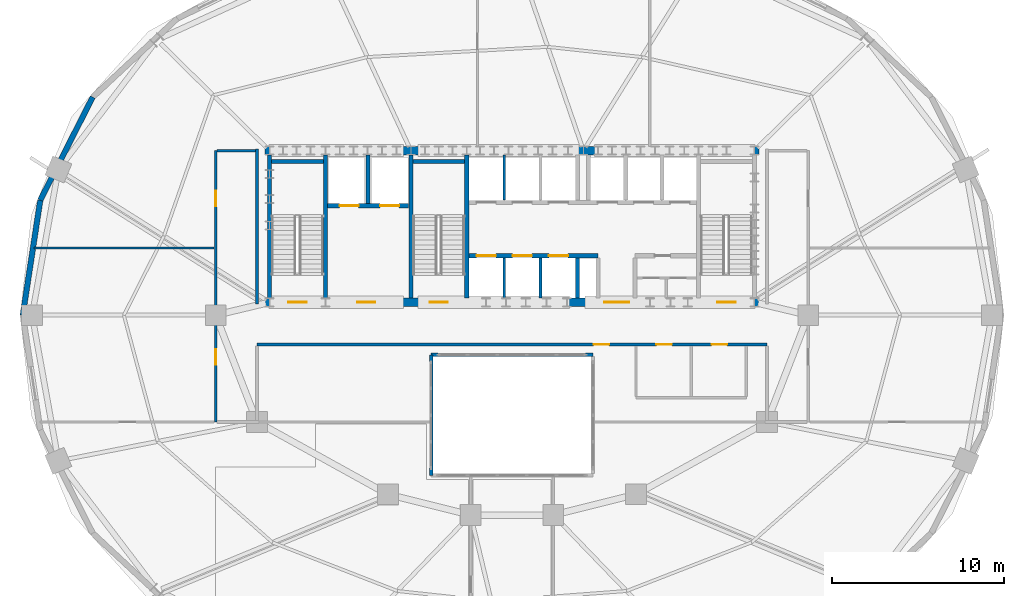
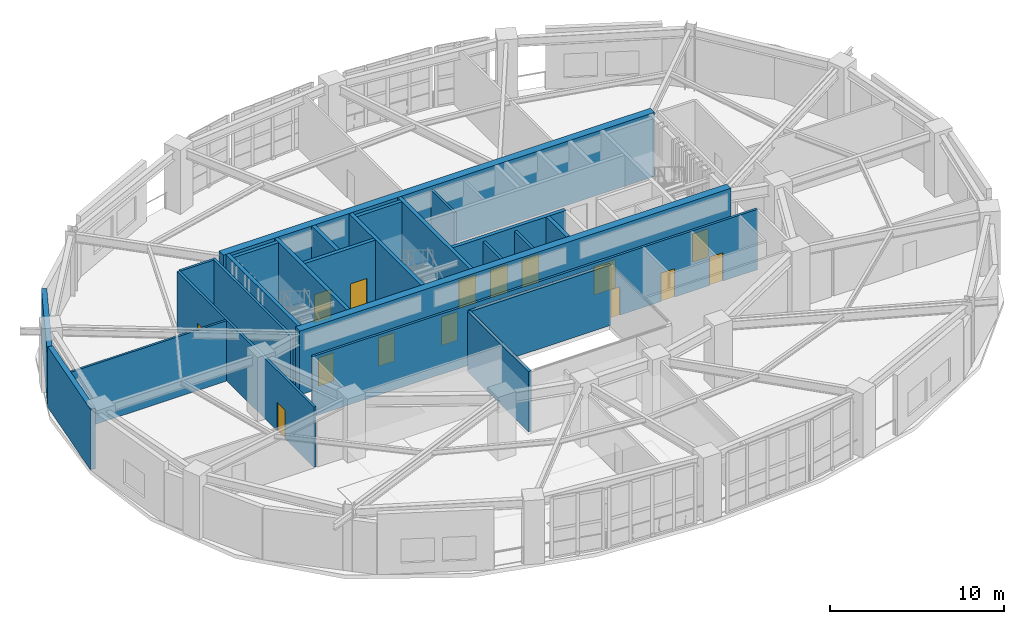
# One storey, part 10 of 15: 24 walls, 15 doors, 15 openings.
"""IFC4 building model written with IfcOpenShell, lengths in metres."""

from ifc_helpers import new_model, si_unit, direction, frame, frame_2d, origin, place, context, subcontext, project, spatial, rectangle, extrude, material, layer, layer_set, type_object, element, fill, save


model = new_model("IFC4")

# Units and contexts
model_context = context("Model", 3, precision=1e-05, world=origin(), true_north=direction((0.0, 1.0)))
body_context = subcontext(model_context, "Body", "Model", "MODEL_VIEW")
ifc_project = project(units=[si_unit("LENGTHUNIT", "METRE"), si_unit("AREAUNIT", "SQUARE_METRE"), si_unit("VOLUMEUNIT", "CUBIC_METRE"), si_unit("PLANEANGLEUNIT", "RADIAN"), si_unit("MASSUNIT", "GRAM", prefix="KILO")], contexts=[model_context])

# Site, building, storey
site_placement = place(None, origin())
site = spatial("IfcSite", under=ifc_project, at=site_placement, CompositionType="ELEMENT")
building_placement = place(site_placement, origin())
building = spatial("IfcBuilding", under=site, at=building_placement, Name="Haldorwick Loom Tower", CompositionType="ELEMENT")
storey_placement = place(building_placement, frame((0.0, 0.0, 105.949951171875)))
storey = spatial("IfcBuildingStorey", under=building, at=storey_placement, Name="L28", CompositionType="ELEMENT", Elevation=105.949951171875)

# Walls
ifc_material_1 = material(Name="Pressed Clay Face Brick and Insulated Masonry Backup Assembly", Category="masonry")
ifc_layer_1 = layer(ifc_material_1, 0.320068359375, Name="Pressed Clay Face Brick and Insulated Masonry Backup Assembly", Category="masonry")
ifc_layer_set_1 = layer_set([ifc_layer_1], Name="Pressed Clay Face Brick and Insulated Masonry Backup Assembly")
wall_type_1 = type_object("IfcWallType", Name="ARC-WL-EXT320", PredefinedType="STANDARD", material=ifc_layer_set_1)
wall_1_placement = place(storey_placement, frame((11.661376953125, 38.655517578125, 0.0), z_axis=(0.0, 0.0, 1.0), x_axis=(-0.453374078001, -0.89132033826, 0.0)))
element("IfcWall", 1, at=wall_1_placement, inside=storey, type_object=wall_type_1, Name="L28 Brick Pier and Spandrel Wall 11", PredefinedType="STANDARD", context=body_context, shape_type="SweptSolid", body=[
    extrude(rectangle(XDim=6.709716796875, YDim=0.320068359375, at=frame_2d((3.35498046875, 0.0))), origin(), (0.0, 0.0, 1.0), 3.619140625),
])
wall_2_placement = place(storey_placement, frame((8.619384765625, 32.675048828125, 0.0), z_axis=(0.0, 0.0, 1.0), x_axis=(-0.150633288003, -0.988589708901, 0.0)))
element("IfcWall", 2, at=wall_2_placement, inside=storey, type_object=wall_type_1, Name="L28 Brick Pier and Spandrel Wall 12", PredefinedType="STANDARD", context=body_context, shape_type="SweptSolid", body=[
    extrude(rectangle(XDim=6.752197265625, YDim=0.320068359375, at=frame_2d((3.3759765625, 0.0))), origin(), (0.0, 0.0, 1.0), 4.260009765625),
])

# Wall, openings, doors
ifc_material_2 = material(Name="Fire-Rated Type X Gypsum Stud Assembly EI 60")
ifc_layer_2 = layer(ifc_material_2, 0.159912109375, Name="Fire-Rated Type X Gypsum Stud Assembly EI 60")
ifc_layer_set_2 = layer_set([ifc_layer_2], Name="Fire-Rated Type X Gypsum Stud Assembly EI 60")
wall_type_2 = type_object("IfcWallType", Name="ARC-WL-FIRE160", PredefinedType="PARTITIONING", material=ifc_layer_set_2)
wall_3_placement = place(storey_placement, frame((21.199951171875, 24.300048828125, 0.0), z_axis=(0.0, 0.0, 1.0), x_axis=(1.0, 0.0, 0.0)))
wall_3 = element("IfcWall", 3, at=wall_3_placement, inside=storey, type_object=wall_type_2, Name="L28 Interior Partition L28-CS", PredefinedType="PARTITIONING", context=body_context, shape_type="SweptSolid", body=[
    extrude(rectangle(XDim=29.60009765625, YDim=0.159912109375, at=frame_2d((14.800048828125, 0.0))), origin(), (0.0, 0.0, 1.0), 4.2451171875),
])
opening_1_placement = place(wall_3_placement, frame((19.5400390625, 0.0, 0.0)))
opening_1 = element("IfcOpeningElement", 4, at=opening_1_placement, cuts=wall_3, Name="Opening D-FD60A", PredefinedType="OPENING", context=body_context, shape_type="SweptSolid", body=[
    extrude(rectangle(XDim=0.89990234375, YDim=2.0, at=frame_2d((0.449951171875, 1.0))), frame((0.0, 0.08984375, 0.0), z_axis=(0.0, -1.0, 0.0), x_axis=(1.0, 0.0, 0.0)), (0.0, 0.0, 1.0), 0.179931640625),
])
opening_2_placement = place(wall_3_placement, frame((26.388916015625, 0.0, 0.0)))
opening_2 = element("IfcOpeningElement", 5, at=opening_2_placement, cuts=wall_3, Name="Opening D-FD60A", PredefinedType="OPENING", context=body_context, shape_type="SweptSolid", body=[
    extrude(rectangle(XDim=0.89990234375, YDim=2.0, at=frame_2d((0.449951171875, 1.0))), frame((0.0, 0.08984375, 0.0), z_axis=(0.0, -1.0, 0.0), x_axis=(1.0, 0.0, 0.0)), (0.0, 0.0, 1.0), 0.179931640625),
])
opening_3_placement = place(wall_3_placement, frame((23.185791015625, 0.0, 0.0)))
opening_3 = element("IfcOpeningElement", 6, at=opening_3_placement, cuts=wall_3, Name="Opening D-FD60A", PredefinedType="OPENING", context=body_context, shape_type="SweptSolid", body=[
    extrude(rectangle(XDim=0.89990234375, YDim=2.0, at=frame_2d((0.449951171875, 1.0))), frame((0.0, 0.08984375, 0.0), z_axis=(0.0, -1.0, 0.0), x_axis=(1.0, 0.0, 0.0)), (0.0, 0.0, 1.0), 0.179931640625),
])
ifc_material_3 = material(Name="Hollow Steel Fire Door Assembly", Category="steel")
door_type_1 = type_object("IfcDoorType", Name="ARC-DR-FD60-90", OperationType="NOTDEFINED", PredefinedType="DOOR", material=ifc_material_3)
door_1_placement = place(opening_1_placement, origin())
door_1 = element("IfcDoor", 7, at=door_1_placement, inside=storey, type_object=door_type_1, Name="L28 L28 Central Transfer Corridor to Sky Cafe Dining Hall 4 Door", OperationType="SINGLE_SWING_RIGHT", OverallHeight=2.0, OverallWidth=0.89990234375, PredefinedType="DOOR", context=body_context, shape_type="SweptSolid", body=[
    extrude(rectangle(XDim=0.89990234375, YDim=2.0, at=frame_2d((0.449951171875, 1.0))), frame((0.0, 0.02490234375, 0.0), z_axis=(0.0, -1.0, 0.0), x_axis=(1.0, 0.0, 0.0)), (0.0, 0.0, 1.0), 0.050048828125),
])
fill(opening_1, door_1)
door_2_placement = place(opening_2_placement, origin())
door_2 = element("IfcDoor", 8, at=door_2_placement, inside=storey, type_object=door_type_1, Name="L28 L28 Central Transfer Corridor to Accessible WC Door", OperationType="SINGLE_SWING_LEFT", OverallHeight=2.0, OverallWidth=0.89990234375, PredefinedType="DOOR", context=body_context, shape_type="SweptSolid", body=[
    extrude(rectangle(XDim=0.89990234375, YDim=2.0, at=frame_2d((0.449951171875, 1.0))), frame((0.0, 0.02490234375, 0.0), z_axis=(0.0, -1.0, 0.0), x_axis=(1.0, 0.0, 0.0)), (0.0, 0.0, 1.0), 0.050048828125),
])
fill(opening_2, door_2)
door_3_placement = place(opening_3_placement, origin())
door_3 = element("IfcDoor", 9, at=door_3_placement, inside=storey, type_object=door_type_1, Name="L28 L28 Central Transfer Corridor to Public Washroom Door", OperationType="SINGLE_SWING_RIGHT", OverallHeight=2.0, OverallWidth=0.89990234375, PredefinedType="DOOR", context=body_context, shape_type="SweptSolid", body=[
    extrude(rectangle(XDim=0.89990234375, YDim=2.0, at=frame_2d((0.449951171875, 1.0))), frame((0.0, 0.02490234375, 0.0), z_axis=(0.0, -1.0, 0.0), x_axis=(1.0, 0.0, 0.0)), (0.0, 0.0, 1.0), 0.050048828125),
])
fill(opening_3, door_3)

wall_4_placement = place(storey_placement, frame((18.800048828125, 19.800048828125, 0.0), z_axis=(0.0, 0.0, 1.0), x_axis=(0.0, 1.0, 0.0)))
wall_4 = element("IfcWall", 10, at=wall_4_placement, inside=storey, type_object=wall_type_2, Name="L28 Interior Partition L28-CW0", PredefinedType="PARTITIONING", context=body_context, shape_type="SweptSolid", body=[
    extrude(rectangle(XDim=15.75, YDim=0.159912109375, at=frame_2d((7.875, 0.0))), origin(), (0.0, 0.0, 1.0), 4.2451171875),
])
opening_4_placement = place(wall_4_placement, frame((3.333984375, 0.0, 0.0)))
opening_4 = element("IfcOpeningElement", 11, at=opening_4_placement, cuts=wall_4, Name="Opening D-FD60A", PredefinedType="OPENING", context=body_context, shape_type="SweptSolid", body=[
    extrude(rectangle(XDim=0.89990234375, YDim=2.0, at=frame_2d((0.449951171875, 1.0))), frame((0.0, 0.08984375, 0.0), z_axis=(0.0, -1.0, 0.0), x_axis=(1.0, 0.0, 0.0)), (0.0, 0.0, 1.0), 0.179931640625),
])
opening_5_placement = place(wall_4_placement, frame((12.527099609375, 0.0, 0.0)))
opening_5 = element("IfcOpeningElement", 12, at=opening_5_placement, cuts=wall_4, Name="Opening D-FD60A", PredefinedType="OPENING", context=body_context, shape_type="SweptSolid", body=[
    extrude(rectangle(XDim=0.89990234375, YDim=2.0, at=frame_2d((0.449951171875, 1.0))), frame((0.0, 0.08984375, 0.0), z_axis=(0.0, -1.0, 0.0), x_axis=(1.0, 0.0, 0.0)), (0.0, 0.0, 1.0), 0.179931640625),
])
door_4_placement = place(opening_4_placement, frame((0.89990234375, 0.0, 0.0), z_axis=(0.0, 0.0, 1.0), x_axis=(-1.0, 0.0, 0.0)))
door_4 = element("IfcDoor", 13, at=door_4_placement, inside=storey, type_object=door_type_1, Name="L28 Sky Concierge Reception 7 to L28 Central Transfer Corridor Door", OperationType="SINGLE_SWING_LEFT", OverallHeight=2.0, OverallWidth=0.89990234375, PredefinedType="DOOR", context=body_context, shape_type="SweptSolid", body=[
    extrude(rectangle(XDim=0.89990234375, YDim=2.0, at=frame_2d((0.449951171875, 1.0))), frame((0.0, 0.02490234375, 0.0), z_axis=(0.0, -1.0, 0.0), x_axis=(1.0, 0.0, 0.0)), (0.0, 0.0, 1.0), 0.050048828125),
])
fill(opening_4, door_4)
door_5_placement = place(opening_5_placement, frame((0.89990234375, 0.0, 0.0), z_axis=(0.0, 0.0, 1.0), x_axis=(-1.0, 0.0, 0.0)))
door_5 = element("IfcDoor", 14, at=door_5_placement, inside=storey, type_object=door_type_1, Name="L28 Low-to-Mid Sky Observatory Salon 11 to L28 Central Transfer Corridor", OperationType="SINGLE_SWING_LEFT", OverallHeight=2.0, OverallWidth=0.89990234375, PredefinedType="DOOR", context=body_context, shape_type="SweptSolid", body=[
    extrude(rectangle(XDim=0.89990234375, YDim=2.0, at=frame_2d((0.449951171875, 1.0))), frame((0.0, 0.02490234375, 0.0), z_axis=(0.0, -1.0, 0.0), x_axis=(1.0, 0.0, 0.0)), (0.0, 0.0, 1.0), 0.050048828125),
])
fill(opening_5, door_5)

# Walls
wall_5_placement = place(storey_placement, frame((21.199951171875, 26.64990234375, 0.0), z_axis=(0.0, 0.0, 1.0), x_axis=(0.0, 1.0, 0.0)))
element("IfcWall", 15, at=wall_5_placement, inside=storey, type_object=wall_type_2, Name="L28 Interior Partition L28-CW2", PredefinedType="PARTITIONING", context=body_context, shape_type="SweptSolid", body=[
    extrude(rectangle(XDim=9.0, YDim=0.159912109375, at=frame_2d((4.5, 0.0))), origin(), (0.0, 0.0, 1.0), 4.2451171875),
])
wall_6_placement = place(storey_placement, frame((18.883056640625, 35.550048828125, 0.0), z_axis=(0.0, 0.0, 1.0), x_axis=(1.0, 0.0, 0.0)))
element("IfcWall", 16, at=wall_6_placement, inside=storey, type_object=wall_type_2, Name="L28 Interior Partition L28-CWN", PredefinedType="PARTITIONING", context=body_context, shape_type="SweptSolid", body=[
    extrude(rectangle(XDim=2.23388671875, YDim=0.159912109375, at=frame_2d((1.116943359375, 0.0))), origin(), (0.0, 0.0, 1.0), 4.2451171875),
])
ifc_material_4 = material(Name="Fire-Rated Type X Gypsum Stud Assembly EI 120")
ifc_layer_3 = layer(ifc_material_4, 0.199951171875, Name="Fire-Rated Type X Gypsum Stud Assembly EI 120")
ifc_layer_set_3 = layer_set([ifc_layer_3], Name="Fire-Rated Type X Gypsum Stud Assembly EI 120")
wall_type_3 = type_object("IfcWallType", Name="ARC-WL-FIRE200", PredefinedType="PARTITIONING", material=ifc_layer_set_3)
wall_7_placement = place(storey_placement, frame((31.300048828125, 23.699951171875, 0.0), z_axis=(0.0, 0.0, 1.0), x_axis=(1.0, 0.0, 0.0)))
element("IfcWall", 17, at=wall_7_placement, inside=storey, type_object=wall_type_3, Name="L28 Atrium Fire Wall", PredefinedType="PARTITIONING", context=body_context, shape_type="SweptSolid", body=[
    extrude(rectangle(XDim=9.39990234375, YDim=0.199951171875, at=frame_2d((4.699951171875, 0.0))), origin(), (0.0, 0.0, 1.0), 4.2451171875),
])
wall_8_placement = place(storey_placement, frame((31.300048828125, 16.699951171875, 0.0), z_axis=(0.0, 0.0, 1.0), x_axis=(0.0, 1.0, 0.0)))
element("IfcWall", 18, at=wall_8_placement, inside=storey, type_object=wall_type_3, Name="L28 Atrium Fire Wall", PredefinedType="PARTITIONING", context=body_context, shape_type="SweptSolid", body=[
    extrude(rectangle(XDim=7.0, YDim=0.199951171875, at=frame_2d((3.5, 0.0))), origin(), (0.0, 0.0, 1.0), 4.2451171875),
])
ifc_layer_4 = layer(ifc_material_2, 0.139892578125, Name="Fire-Rated Type X Gypsum Stud Assembly EI 60")
ifc_layer_set_4 = layer_set([ifc_layer_4], Name="Fire-Rated Type X Gypsum Stud Assembly EI 60")
wall_type_4 = type_object("IfcWallType", Name="ARC-WL-PART140", PredefinedType="PARTITIONING", material=ifc_layer_set_4)
wall_9_placement = place(storey_placement, frame((8.262451171875, 29.89990234375, 0.0), z_axis=(0.0, 0.0, 1.0), x_axis=(1.0, 0.0, 0.0)))
element("IfcWall", 19, at=wall_9_placement, inside=storey, type_object=wall_type_4, Name="L28 Interior Partition L28-WL-N", PredefinedType="PARTITIONING", context=body_context, shape_type="SweptSolid", body=[
    extrude(rectangle(XDim=10.45458984375, YDim=0.139892578125, at=frame_2d((5.227294921875, 0.0))), origin(), (0.0, 0.0, 1.0), 4.2451171875),
])
ifc_layer_5 = layer(ifc_material_4, 0.1650390625, Name="Fire-Rated Type X Gypsum Stud Assembly EI 120")
ifc_layer_set_5 = layer_set([ifc_layer_5], Name="Fire-Rated Type X Gypsum Stud Assembly EI 120")
wall_type_5 = type_object("IfcWallType", Name="ARC-WL-SHAFT160", PredefinedType="MOVABLE", material=ifc_layer_set_5)
wall_10_placement = place(storey_placement, frame((35.550048828125, 32.673095703125, 0.0), z_axis=(0.0, 0.0, 1.0), x_axis=(0.0, 1.0, 0.0)))
element("IfcWall", 20, at=wall_10_placement, inside=storey, type_object=wall_type_5, Name="L28 Low-Rise Hoistway Divider 1", PredefinedType="MOVABLE", context=body_context, shape_type="SweptSolid", body=[
    extrude(rectangle(XDim=2.6240234375, YDim=0.159912109375, at=frame_2d((1.31201171875, 0.0))), origin(), (0.0, 0.0, 1.0), 4.2451171875),
])
for number, where, z_axis, x_axis, name in (
    (21, (35.550048828125, 27.0029296875, 0.0), (0.0, 0.0, 1.0), (0.0, 1.0, 0.0), "L28 Mid-Rise Hoistway Divider 1"),
    (22, (37.64990234375, 27.0029296875, 0.0), (0.0, 0.0, 1.0), (0.0, 1.0, 0.0), "L28 Mid-Rise Hoistway Divider 2"),
):
    element("IfcWall", number, at=place(storey_placement, frame(where, z_axis=z_axis, x_axis=x_axis)), inside=storey, type_object=wall_type_5, Name=name, PredefinedType="MOVABLE", context=body_context, shape_type="SweptSolid", body=[
        extrude(rectangle(XDim=2.323974609375, YDim=0.159912109375, at=frame_2d((1.162109375, 0.0))), origin(), (0.0, 0.0, 1.0), 4.2451171875),
    ])

# Wall, openings, doors
ifc_material_5 = material(Name="Concrete C60 (60 MPa)", Category="concrete")
ifc_layer_6 = layer(ifc_material_5, 0.5, Name="Concrete C60 (60 MPa)", Category="concrete")
ifc_layer_set_6 = layer_set([ifc_layer_6], Name="Concrete C60 (60 MPa)")
wall_type_6 = type_object("IfcWallType", Name="STR-WL-CORE500", PredefinedType="SHEAR", material=ifc_layer_set_6)
wall_11_placement = place(storey_placement, frame((21.64990234375, 26.75, 0.0), z_axis=(0.0, 0.0, 1.0), x_axis=(1.0, 0.0, 0.0)))
wall_11 = element("IfcWall", 23, at=wall_11_placement, inside=storey, type_object=wall_type_6, Name="L28 Core Shear Wall S", PredefinedType="SHEAR", context=body_context, shape_type="SweptSolid", body=[
    extrude(rectangle(XDim=28.7001953125, YDim=0.5, at=frame_2d((14.35009765625, 0.0))), origin(), (0.0, 0.0, 1.0), 4.5),
])
opening_6_placement = place(wall_11_placement, frame((1.375, 0.0, 0.0)))
opening_6 = element("IfcOpeningElement", 24, at=opening_6_placement, cuts=wall_11, Name="Opening D-FD60", PredefinedType="OPENING", context=body_context, shape_type="SweptSolid", body=[
    extrude(rectangle(XDim=1.050048828125, YDim=2.0, at=frame_2d((0.52490234375, 1.0))), frame((0.0, 0.260009765625, 0.0), z_axis=(0.0, -1.0, 0.0), x_axis=(1.0, 0.0, 0.0)), (0.0, 0.0, 1.0), 0.52001953125),
])
opening_7_placement = place(wall_11_placement, frame((5.375, 0.0, 0.0)))
opening_7 = element("IfcOpeningElement", 25, at=opening_7_placement, cuts=wall_11, Name="Opening D-FD60", PredefinedType="OPENING", context=body_context, shape_type="SweptSolid", body=[
    extrude(rectangle(XDim=1.050048828125, YDim=2.0, at=frame_2d((0.52490234375, 1.0))), frame((0.0, 0.260009765625, 0.0), z_axis=(0.0, -1.0, 0.0), x_axis=(1.0, 0.0, 0.0)), (0.0, 0.0, 1.0), 0.52001953125),
])
opening_8_placement = place(wall_11_placement, frame((9.574951171875, 0.0, 0.0)))
opening_8 = element("IfcOpeningElement", 26, at=opening_8_placement, cuts=wall_11, Name="Opening D-FD60", PredefinedType="OPENING", context=body_context, shape_type="SweptSolid", body=[
    extrude(rectangle(XDim=1.050048828125, YDim=2.0, at=frame_2d((0.52490234375, 1.0))), frame((0.0, 0.260009765625, 0.0), z_axis=(0.0, -1.0, 0.0), x_axis=(1.0, 0.0, 0.0)), (0.0, 0.0, 1.0), 0.52001953125),
])
opening_9_placement = place(wall_11_placement, frame((19.705078125, 0.0, 0.0)))
opening_9 = element("IfcOpeningElement", 27, at=opening_9_placement, cuts=wall_11, Name="Opening D-LB15", PredefinedType="OPENING", context=body_context, shape_type="SweptSolid", body=[
    extrude(rectangle(XDim=1.449951171875, YDim=2.0, at=frame_2d((0.72509765625, 1.0))), frame((0.0, 0.260009765625, 0.0), z_axis=(0.0, -1.0, 0.0), x_axis=(1.0, 0.0, 0.0)), (0.0, 0.0, 1.0), 0.52001953125),
])
opening_10_placement = place(wall_11_placement, frame((26.27490234375, 0.0, 0.0)))
opening_10 = element("IfcOpeningElement", 28, at=opening_10_placement, cuts=wall_11, Name="Opening D-FD60", PredefinedType="OPENING", context=body_context, shape_type="SweptSolid", body=[
    extrude(rectangle(XDim=1.050048828125, YDim=2.0, at=frame_2d((0.52490234375, 1.0))), frame((0.0, 0.260009765625, 0.0), z_axis=(0.0, -1.0, 0.0), x_axis=(1.0, 0.0, 0.0)), (0.0, 0.0, 1.0), 0.52001953125),
])
door_type_2 = type_object("IfcDoorType", Name="ARC-DR-FD60", OperationType="NOTDEFINED", PredefinedType="DOOR", material=ifc_material_3)
door_6_placement = place(opening_6_placement, origin())
door_6 = element("IfcDoor", 29, at=door_6_placement, inside=storey, type_object=door_type_2, Name="L28 Exit Stair ST-01 Fire Door", OperationType="SINGLE_SWING_RIGHT", OverallHeight=2.0, OverallWidth=1.050048828125, PredefinedType="DOOR", context=body_context, shape_type="SweptSolid", body=[
    extrude(rectangle(XDim=1.050048828125, YDim=2.0, at=frame_2d((0.52490234375, 1.0))), frame((0.0, 0.02490234375, 0.0), z_axis=(0.0, -1.0, 0.0), x_axis=(1.0, 0.0, 0.0)), (0.0, 0.0, 1.0), 0.050048828125),
])
fill(opening_6, door_6)
door_7_placement = place(opening_7_placement, origin())
door_7 = element("IfcDoor", 30, at=door_7_placement, inside=storey, type_object=door_type_2, Name="L28 Firefighting Lift Lobby Fire Door", OperationType="SINGLE_SWING_LEFT", OverallHeight=2.0, OverallWidth=1.050048828125, PredefinedType="DOOR", context=body_context, shape_type="SweptSolid", body=[
    extrude(rectangle(XDim=1.050048828125, YDim=2.0, at=frame_2d((0.52490234375, 1.0))), frame((0.0, 0.02490234375, 0.0), z_axis=(0.0, -1.0, 0.0), x_axis=(1.0, 0.0, 0.0)), (0.0, 0.0, 1.0), 0.050048828125),
])
fill(opening_7, door_7)
door_8_placement = place(opening_8_placement, origin())
door_8 = element("IfcDoor", 31, at=door_8_placement, inside=storey, type_object=door_type_2, Name="L28 Exit Stair ST-03 Fire Door", OperationType="SINGLE_SWING_LEFT", OverallHeight=2.0, OverallWidth=1.050048828125, PredefinedType="DOOR", context=body_context, shape_type="SweptSolid", body=[
    extrude(rectangle(XDim=1.050048828125, YDim=2.0, at=frame_2d((0.52490234375, 1.0))), frame((0.0, 0.02490234375, 0.0), z_axis=(0.0, -1.0, 0.0), x_axis=(1.0, 0.0, 0.0)), (0.0, 0.0, 1.0), 0.050048828125),
])
fill(opening_8, door_8)
door_9_placement = place(opening_10_placement, origin())
door_9 = element("IfcDoor", 32, at=door_9_placement, inside=storey, type_object=door_type_2, Name="L28 Exit Stair ST-02 Fire Door", OperationType="SINGLE_SWING_LEFT", OverallHeight=2.0, OverallWidth=1.050048828125, PredefinedType="DOOR", context=body_context, shape_type="SweptSolid", body=[
    extrude(rectangle(XDim=1.050048828125, YDim=2.0, at=frame_2d((0.52490234375, 1.0))), frame((0.0, 0.02490234375, 0.0), z_axis=(0.0, -1.0, 0.0), x_axis=(1.0, 0.0, 0.0)), (0.0, 0.0, 1.0), 0.050048828125),
])
fill(opening_10, door_9)
ifc_material_6 = material(Name="Thermally Broken Anodized Aluminium and Tempered Glass", Category="aluminium")
door_type_3 = type_object("IfcDoorType", Name="ARC-DR-LOB150", OperationType="NOTDEFINED", PredefinedType="DOOR", material=ifc_material_6)
door_10_placement = place(opening_9_placement, frame((1.449951171875, 0.0, 0.0), z_axis=(0.0, 0.0, 1.0), x_axis=(-1.0, 0.0, 0.0)))
door_10 = element("IfcDoor", 33, at=door_10_placement, inside=storey, type_object=door_type_3, Name="L28 Passenger Lift Lobby Fire Door", OperationType="DOUBLE_DOOR_SINGLE_SWING", OverallHeight=2.0, OverallWidth=1.449951171875, PredefinedType="DOOR", context=body_context, shape_type="SweptSolid", body=[
    extrude(rectangle(XDim=1.449951171875, YDim=2.0, at=frame_2d((0.72509765625, 1.0))), frame((0.0, 0.02490234375, 0.0), z_axis=(0.0, -1.0, 0.0), x_axis=(1.0, 0.0, 0.0)), (0.0, 0.0, 1.0), 0.050048828125),
])
fill(opening_9, door_10)

# Walls
wall_12_placement = place(storey_placement, frame((50.35009765625, 35.550048828125, 0.0), z_axis=(0.0, 0.0, 1.0), x_axis=(-1.0, 0.0, 0.0)))
element("IfcWall", 34, at=wall_12_placement, inside=storey, type_object=wall_type_6, Name="L28 Core Shear Wall N", PredefinedType="SHEAR", context=body_context, shape_type="SweptSolid", body=[
    extrude(rectangle(XDim=28.7001953125, YDim=0.5, at=frame_2d((14.35009765625, 0.0))), origin(), (0.0, 0.0, 1.0), 4.5),
])
ifc_material_7 = material(Name="Concrete C50 (50 MPa)", Category="concrete")
ifc_layer_7 = layer(ifc_material_7, 0.239990234375, Name="Concrete C50 (50 MPa)", Category="concrete")
ifc_layer_set_7 = layer_set([ifc_layer_7], Name="Concrete C50 (50 MPa)")
wall_type_7 = type_object("IfcWallType", Name="STR-WL-SHAFT240", PredefinedType="SHEAR", material=ifc_layer_set_7)
for number, where, z_axis, x_axis, name in (
    (35, (21.929931640625, 35.297119140625, 0.0), (0.0, 0.0, 1.0), (0.0, -1.0, 0.0), "L28 Core Shear Wall W"),
    (36, (25.169921875, 27.0029296875, 0.0), (0.0, 0.0, 1.0), (0.0, 1.0, 0.0), "L28 Core Shear Wall 1"),
):
    element("IfcWall", number, at=place(storey_placement, frame(where, z_axis=z_axis, x_axis=x_axis)), inside=storey, type_object=wall_type_7, Name=name, PredefinedType="SHEAR", context=body_context, shape_type="SweptSolid", body=[
        extrude(rectangle(XDim=8.294189453125, YDim=0.239990234375, at=frame_2d((4.14697265625, 0.0))), origin(), (0.0, 0.0, 1.0), 4.5),
    ])
wall_13_placement = place(storey_placement, frame((22.052978515625, 34.919921875, 0.0), z_axis=(0.0, 0.0, 1.0), x_axis=(1.0, 0.0, 0.0)))
element("IfcWall", 37, at=wall_13_placement, inside=storey, type_object=wall_type_7, Name="L28 Core Shear Wall 1N", PredefinedType="SHEAR", context=body_context, shape_type="SweptSolid", body=[
    extrude(rectangle(XDim=2.994140625, YDim=0.239990234375, at=frame_2d((1.4970703125, 0.0))), origin(), (0.0, 0.0, 1.0), 4.5),
])
for number, where, z_axis, x_axis, name in (
    (38, (30.1298828125, 27.0029296875, 0.0), (0.0, 0.0, 1.0), (0.0, 1.0, 0.0), "L28 Core Shear Wall 2"),
    (39, (33.3701171875, 27.0029296875, 0.0), (0.0, 0.0, 1.0), (0.0, 1.0, 0.0), "L28 Core Shear Wall 3"),
):
    element("IfcWall", number, at=place(storey_placement, frame(where, z_axis=z_axis, x_axis=x_axis)), inside=storey, type_object=wall_type_7, Name=name, PredefinedType="SHEAR", context=body_context, shape_type="SweptSolid", body=[
        extrude(rectangle(XDim=8.294189453125, YDim=0.239990234375, at=frame_2d((4.14697265625, 0.0))), origin(), (0.0, 0.0, 1.0), 4.5),
    ])
wall_14_placement = place(storey_placement, frame((30.2529296875, 34.919921875, 0.0), z_axis=(0.0, 0.0, 1.0), x_axis=(1.0, 0.0, 0.0)))
element("IfcWall", 40, at=wall_14_placement, inside=storey, type_object=wall_type_7, Name="L28 Core Shear Wall 3N", PredefinedType="SHEAR", context=body_context, shape_type="SweptSolid", body=[
    extrude(rectangle(XDim=2.994140625, YDim=0.239990234375, at=frame_2d((1.4970703125, 0.0))), origin(), (0.0, 0.0, 1.0), 4.5),
])

# Wall, openings, doors
wall_15_placement = place(storey_placement, frame((25.29296875, 32.35009765625, 0.0), z_axis=(0.0, 0.0, 1.0), x_axis=(1.0, 0.0, 0.0)))
wall_15 = element("IfcWall", 41, at=wall_15_placement, inside=storey, type_object=wall_type_7, Name="L28 Core Shear Wall FF", PredefinedType="SHEAR", context=body_context, shape_type="SweptSolid", body=[
    extrude(rectangle(XDim=4.714111328125, YDim=0.239990234375, at=frame_2d((2.35693359375, 0.0))), origin(), (0.0, 0.0, 1.0), 4.5),
])
opening_11_placement = place(wall_15_placement, frame((0.70703125, 0.0, 0.0)))
opening_11 = element("IfcOpeningElement", 42, at=opening_11_placement, cuts=wall_15, Name="Opening LD-FF1", PredefinedType="OPENING", context=body_context, shape_type="SweptSolid", body=[
    extrude(rectangle(XDim=1.10009765625, YDim=2.0, at=frame_2d((0.550048828125, 1.0))), frame((0.0, 0.1298828125, 0.0), z_axis=(0.0, -1.0, 0.0), x_axis=(1.0, 0.0, 0.0)), (0.0, 0.0, 1.0), 0.260009765625),
])
opening_12_placement = place(wall_15_placement, frame((3.056884765625, 0.0, 0.0)))
opening_12 = element("IfcOpeningElement", 43, at=opening_12_placement, cuts=wall_15, Name="Opening LD-FF2", PredefinedType="OPENING", context=body_context, shape_type="SweptSolid", body=[
    extrude(rectangle(XDim=1.10009765625, YDim=2.0, at=frame_2d((0.550048828125, 1.0))), frame((0.0, 0.1298828125, 0.0), z_axis=(0.0, -1.0, 0.0), x_axis=(1.0, 0.0, 0.0)), (0.0, 0.0, 1.0), 0.260009765625),
])
door_type_4 = type_object("IfcDoorType", Name="ARC-DR-LD-FF", OperationType="NOTDEFINED", PredefinedType="USERDEFINED", material=ifc_material_3)
door_11_placement = place(opening_11_placement, origin())
door_11 = element("IfcDoor", 44, at=door_11_placement, inside=storey, type_object=door_type_4, Name="L28 Lift LF-FF1 Sliding Landing Door", ObjectType="LANDING DOOR", OperationType="DOUBLE_DOOR_SLIDING", OverallHeight=2.0, OverallWidth=1.10009765625, PredefinedType="USERDEFINED", context=body_context, shape_type="SweptSolid", body=[
    extrude(rectangle(XDim=1.10009765625, YDim=2.0, at=frame_2d((0.550048828125, 1.0))), frame((0.0, 0.02490234375, 0.0), z_axis=(0.0, -1.0, 0.0), x_axis=(1.0, 0.0, 0.0)), (0.0, 0.0, 1.0), 0.050048828125),
])
fill(opening_11, door_11)
door_12_placement = place(opening_12_placement, origin())
door_12 = element("IfcDoor", 45, at=door_12_placement, inside=storey, type_object=door_type_4, Name="L28 Lift LF-FF2 Sliding Landing Door", ObjectType="LANDING DOOR", OperationType="DOUBLE_DOOR_SLIDING", OverallHeight=2.0, OverallWidth=1.10009765625, PredefinedType="USERDEFINED", context=body_context, shape_type="SweptSolid", body=[
    extrude(rectangle(XDim=1.10009765625, YDim=2.0, at=frame_2d((0.550048828125, 1.0))), frame((0.0, 0.02490234375, 0.0), z_axis=(0.0, -1.0, 0.0), x_axis=(1.0, 0.0, 0.0)), (0.0, 0.0, 1.0), 0.050048828125),
])
fill(opening_12, door_12)

# Wall
wall_16_placement = place(storey_placement, frame((27.64990234375, 32.472900390625, 0.0), z_axis=(0.0, 0.0, 1.0), x_axis=(0.0, 1.0, 0.0)))
element("IfcWall", 46, at=wall_16_placement, inside=storey, type_object=wall_type_7, Name="L28 Core Shear Wall FFD", PredefinedType="SHEAR", context=body_context, shape_type="SweptSolid", body=[
    extrude(rectangle(XDim=2.82421875, YDim=0.239990234375, at=frame_2d((1.412109375, 0.0))), origin(), (0.0, 0.0, 1.0), 4.5),
])

# Wall, openings, doors
wall_17_placement = place(storey_placement, frame((33.492919921875, 29.449951171875, 0.0), z_axis=(0.0, 0.0, 1.0), x_axis=(1.0, 0.0, 0.0)))
wall_17 = element("IfcWall", 47, at=wall_17_placement, inside=storey, type_object=wall_type_7, Name="L28 Core Shear Wall LS1", PredefinedType="SHEAR", context=body_context, shape_type="SweptSolid", body=[
    extrude(rectangle(XDim=7.507080078125, YDim=0.239990234375, at=frame_2d((3.75341796875, 0.0))), origin(), (0.0, 0.0, 1.0), 4.5),
])
opening_13_placement = place(wall_17_placement, frame((0.447021484375, 0.0, 0.0)))
opening_13 = element("IfcOpeningElement", 48, at=opening_13_placement, cuts=wall_17, Name="Opening LD-M1", PredefinedType="OPENING", context=body_context, shape_type="SweptSolid", body=[
    extrude(rectangle(XDim=1.1201171875, YDim=2.0, at=frame_2d((0.56005859375, 1.0))), frame((0.0, 0.1298828125, 0.0), z_axis=(0.0, -1.0, 0.0), x_axis=(1.0, 0.0, 0.0)), (0.0, 0.0, 1.0), 0.260009765625),
])
opening_14_placement = place(wall_17_placement, frame((2.547119140625, 0.0, 0.0)))
opening_14 = element("IfcOpeningElement", 49, at=opening_14_placement, cuts=wall_17, Name="Opening LD-M2", PredefinedType="OPENING", context=body_context, shape_type="SweptSolid", body=[
    extrude(rectangle(XDim=1.1201171875, YDim=2.0, at=frame_2d((0.56005859375, 1.0))), frame((0.0, 0.1298828125, 0.0), z_axis=(0.0, -1.0, 0.0), x_axis=(1.0, 0.0, 0.0)), (0.0, 0.0, 1.0), 0.260009765625),
])
opening_15_placement = place(wall_17_placement, frame((4.64697265625, 0.0, 0.0)))
opening_15 = element("IfcOpeningElement", 50, at=opening_15_placement, cuts=wall_17, Name="Opening LD-M3", PredefinedType="OPENING", context=body_context, shape_type="SweptSolid", body=[
    extrude(rectangle(XDim=1.1201171875, YDim=2.0, at=frame_2d((0.56005859375, 1.0))), frame((0.0, 0.1298828125, 0.0), z_axis=(0.0, -1.0, 0.0), x_axis=(1.0, 0.0, 0.0)), (0.0, 0.0, 1.0), 0.260009765625),
])
door_type_5 = type_object("IfcDoorType", Name="ARC-DR-LD-PAX", OperationType="NOTDEFINED", PredefinedType="USERDEFINED", material=ifc_material_3)
door_13_placement = place(opening_13_placement, origin())
door_13 = element("IfcDoor", 51, at=door_13_placement, inside=storey, type_object=door_type_5, Name="L28 Lift LF-M1 Sliding Landing Door", ObjectType="LANDING DOOR", OperationType="DOUBLE_DOOR_SLIDING", OverallHeight=2.0, OverallWidth=1.1201171875, PredefinedType="USERDEFINED", context=body_context, shape_type="SweptSolid", body=[
    extrude(rectangle(XDim=1.1201171875, YDim=2.0, at=frame_2d((0.56005859375, 1.0))), frame((0.0, 0.02490234375, 0.0), z_axis=(0.0, -1.0, 0.0), x_axis=(1.0, 0.0, 0.0)), (0.0, 0.0, 1.0), 0.050048828125),
])
fill(opening_13, door_13)
door_14_placement = place(opening_14_placement, origin())
door_14 = element("IfcDoor", 52, at=door_14_placement, inside=storey, type_object=door_type_5, Name="L28 Lift LF-M2 Sliding Landing Door", ObjectType="LANDING DOOR", OperationType="DOUBLE_DOOR_SLIDING", OverallHeight=2.0, OverallWidth=1.1201171875, PredefinedType="USERDEFINED", context=body_context, shape_type="SweptSolid", body=[
    extrude(rectangle(XDim=1.1201171875, YDim=2.0, at=frame_2d((0.56005859375, 1.0))), frame((0.0, 0.02490234375, 0.0), z_axis=(0.0, -1.0, 0.0), x_axis=(1.0, 0.0, 0.0)), (0.0, 0.0, 1.0), 0.050048828125),
])
fill(opening_14, door_14)
door_15_placement = place(opening_15_placement, origin())
door_15 = element("IfcDoor", 53, at=door_15_placement, inside=storey, type_object=door_type_5, Name="L28 Lift LF-M3 Sliding Landing Door", ObjectType="LANDING DOOR", OperationType="DOUBLE_DOOR_SLIDING", OverallHeight=2.0, OverallWidth=1.1201171875, PredefinedType="USERDEFINED", context=body_context, shape_type="SweptSolid", body=[
    extrude(rectangle(XDim=1.1201171875, YDim=2.0, at=frame_2d((0.56005859375, 1.0))), frame((0.0, 0.02490234375, 0.0), z_axis=(0.0, -1.0, 0.0), x_axis=(1.0, 0.0, 0.0)), (0.0, 0.0, 1.0), 0.050048828125),
])
fill(opening_15, door_15)

# Wall
wall_18_placement = place(storey_placement, frame((39.800048828125, 27.0029296875, 0.0), z_axis=(0.0, 0.0, 1.0), x_axis=(0.0, 1.0, 0.0)))
element("IfcWall", 54, at=wall_18_placement, inside=storey, type_object=wall_type_7, Name="L28 Core Shear Wall MRW", PredefinedType="SHEAR", context=body_context, shape_type="SweptSolid", body=[
    extrude(rectangle(XDim=2.323974609375, YDim=0.239990234375, at=frame_2d((1.162109375, 0.0))), origin(), (0.0, 0.0, 1.0), 4.5),
])

save(model, "model.ifc")
